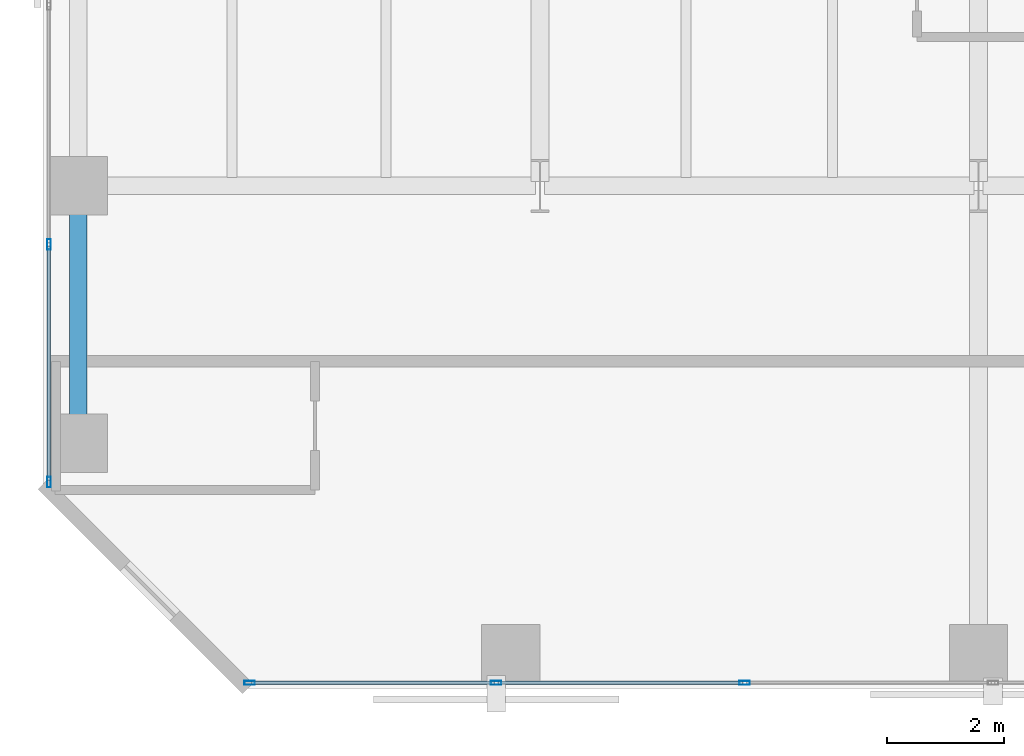
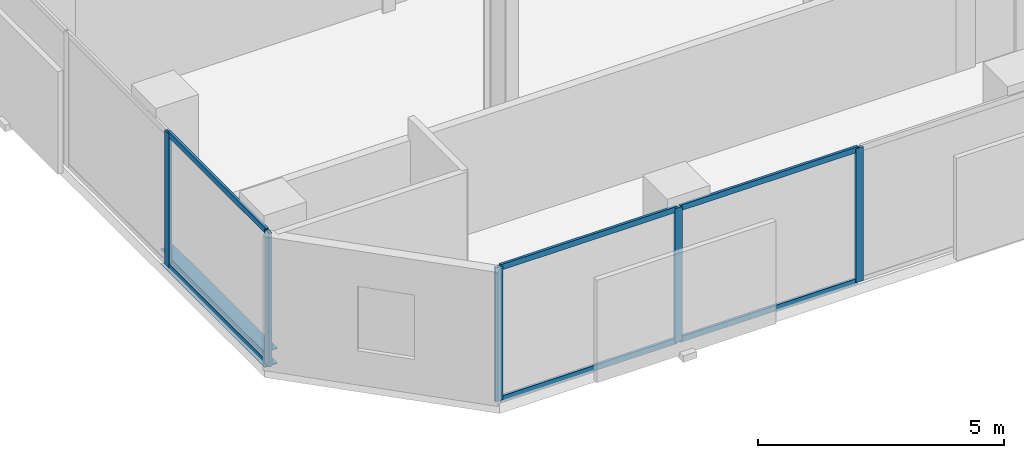
# One storey, part 2 of 31: 11 members, 1 beam, 2 elements without a shape of their own.
"""IFC4 building model written with IfcOpenShell, lengths in metres."""

from ifc_helpers import new_model, si_unit, direction, frame, origin, origin_2d, place, context, subcontext, project, spatial, hollow_rectangle, i_section, extrude, material, layer, layer_set, material_profile, profile_set, type_object, element, aggregate, save


model = new_model("IFC4")

# Units and contexts
model_context = context("Model", 3, precision=1e-05, world=origin(), true_north=direction((0.0, 1.0)))
body_context = subcontext(model_context, "Body", "Model", "MODEL_VIEW")
ifc_project = project(units=[si_unit("LENGTHUNIT", "METRE"), si_unit("AREAUNIT", "SQUARE_METRE"), si_unit("VOLUMEUNIT", "CUBIC_METRE"), si_unit("PLANEANGLEUNIT", "RADIAN"), si_unit("MASSUNIT", "GRAM", prefix="KILO")], contexts=[model_context])

# Site, building, storey
site_placement = place(None, origin())
site = spatial("IfcSite", under=ifc_project, at=site_placement, CompositionType="ELEMENT")
building_placement = place(site_placement, origin())
building = spatial("IfcBuilding", under=site, at=building_placement, Name="Catumbela Crestline Tower", CompositionType="ELEMENT")
storey_placement = place(building_placement, frame((0.0, 0.0, 40.2)))
storey = spatial("IfcBuildingStorey", under=building, at=storey_placement, Name="L09", CompositionType="ELEMENT", Elevation=40.2)

# Curtain wall, members
ifc_material_1 = material(Name="Aluminium alloy AW-6060-T66", Category="aluminium")
ifc_layer = layer(ifc_material_1, 0.18, Name="Aluminium alloy AW-6060-T66")
ifc_layer_set = layer_set([ifc_layer], Name="Aluminium alloy AW-6060-T66")
curtain_wall_type = type_object("IfcCurtainWallType", Name="CWU-Z1", PredefinedType="USERDEFINED", material=ifc_layer_set)
curtain_wall_1_placement = place(storey_placement, origin())
curtain_wall_1 = element("IfcCurtainWall", 1, at=curtain_wall_1_placement, inside=storey, type_object=curtain_wall_type, Name="L09 Unitised Curtain Wall CW-L09-E0S1", ObjectType="UNITISED", PredefinedType="USERDEFINED")
ifc_material_profile_1 = material_profile(ifc_material_1, hollow_rectangle(XDim=0.065, YDim=0.18, WallThickness=0.004, at=origin_2d()), Name="ALU 180x65x4")
ifc_profile_set_1 = profile_set([ifc_material_profile_1], Name="Aluminium alloy AW-6060-T66")
member_type_1 = type_object("IfcMemberType", Name="MUL-180X65", PredefinedType="MULLION", material=ifc_profile_set_1)
member_1_placement = place(storey_placement, frame((3.5325, 0.1, 0.0), z_axis=(0.0, 0.0, 1.0), x_axis=(0.0, 1.0, 0.0)))
member_1 = element("IfcMember", 2, at=member_1_placement, type_object=member_type_1, Name="CWU-Z1 mullion 1", PredefinedType="MULLION", context=body_context, shape_type="SweptSolid", body=[
    extrude(hollow_rectangle(XDim=0.065, YDim=0.18, WallThickness=0.004, at=origin_2d()), origin(), (0.0, 0.0, 1.0), 3.33),
])
member_2_placement = place(storey_placement, frame((7.75, 0.1, 0.0), z_axis=(0.0, 0.0, 1.0), x_axis=(0.0, 1.0, 0.0)))
member_2 = element("IfcMember", 3, at=member_2_placement, type_object=member_type_1, Name="CWU-Z1 mullion 2", PredefinedType="MULLION", context=body_context, shape_type="SweptSolid", body=[
    extrude(hollow_rectangle(XDim=0.065, YDim=0.18, WallThickness=0.004, at=origin_2d()), origin(), (0.0, 0.0, 1.0), 3.33),
])
member_3_placement = place(storey_placement, frame((12.0, 0.1, 0.0), z_axis=(0.0, 0.0, 1.0), x_axis=(0.0, 1.0, 0.0)))
member_3 = element("IfcMember", 4, at=member_3_placement, type_object=member_type_1, Name="CWU-Z1 mullion 3", PredefinedType="MULLION", context=body_context, shape_type="SweptSolid", body=[
    extrude(hollow_rectangle(XDim=0.065, YDim=0.18, WallThickness=0.004, at=origin_2d()), origin(), (0.0, 0.0, 1.0), 3.33),
])

curtain_wall_2_placement = place(storey_placement, origin())
curtain_wall_2 = element("IfcCurtainWall", 5, at=curtain_wall_2_placement, inside=storey, type_object=curtain_wall_type, Name="L09 Unitised Curtain Wall CW-L09-E9S1", ObjectType="UNITISED", PredefinedType="USERDEFINED")
member_4_placement = place(storey_placement, frame((0.1, 7.6, 0.0), z_axis=(0.0, 0.0, 1.0), x_axis=(1.0, 0.0, 0.0)))
member_4 = element("IfcMember", 6, at=member_4_placement, type_object=member_type_1, Name="CWU-Z1 mullion 10", PredefinedType="MULLION", context=body_context, shape_type="SweptSolid", body=[
    extrude(hollow_rectangle(XDim=0.065, YDim=0.18, WallThickness=0.004, at=origin_2d()), origin(), (0.0, 0.0, 1.0), 3.33),
])
member_5_placement = place(storey_placement, frame((0.1, 3.5325, 0.0), z_axis=(0.0, 0.0, 1.0), x_axis=(1.0, 0.0, 0.0)))
member_5 = element("IfcMember", 7, at=member_5_placement, type_object=member_type_1, Name="CWU-Z1 mullion 11", PredefinedType="MULLION", context=body_context, shape_type="SweptSolid", body=[
    extrude(hollow_rectangle(XDim=0.065, YDim=0.18, WallThickness=0.004, at=origin_2d()), origin(), (0.0, 0.0, 1.0), 3.33),
])

# Beam
ifc_material_2 = material(Name="Structural steel S355J2", Category="steel")
ifc_material_profile_2 = material_profile(ifc_material_2, i_section(OverallWidth=0.3, OverallDepth=0.39, WebThickness=0.011, FlangeThickness=0.019, FilletRadius=0.027, at=origin_2d()), Name="HEA 400")
ifc_profile_set_2 = profile_set([ifc_material_profile_2], Name="Structural steel S355J2")
beam_type = type_object("IfcBeamType", Name="BS-HEA400", PredefinedType="SPANDREL", material=ifc_profile_set_2)
beam_placement = place(storey_placement, frame((0.6, 4.28, -0.455), z_axis=(0.0, 1.0, 0.0), x_axis=(-1.0, 0.0, 0.0)))
element("IfcBeam", 8, at=beam_placement, inside=storey, type_object=beam_type, Name="L09 Spandrel SP-L09-WNS57", PredefinedType="SPANDREL", context=body_context, shape_type="SweptSolid", body=[
    extrude(i_section(OverallWidth=0.3, OverallDepth=0.39, WebThickness=0.011, FlangeThickness=0.019, FilletRadius=0.027, at=origin_2d()), origin(), (0.0, 0.0, 1.0), 4.24),
])

# Member
ifc_material_profile_3 = material_profile(ifc_material_1, hollow_rectangle(XDim=0.06, YDim=0.14, WallThickness=0.004, at=origin_2d()), Name="ALU 140x60x4")
ifc_profile_set_3 = profile_set([ifc_material_profile_3], Name="Aluminium alloy AW-6060-T66")
member_type_2 = type_object("IfcMemberType", Name="TRN-140X60", PredefinedType="USERDEFINED", material=ifc_profile_set_3)
member_6_placement = place(storey_placement, frame((3.565, 0.1, 0.03), z_axis=(1.0, 0.0, 0.0), x_axis=(0.0, 1.0, 0.0)))
member_6 = element("IfcMember", 9, at=member_6_placement, type_object=member_type_2, Name="CWU-Z1 transom 1.1", ObjectType="TRANSOM", PredefinedType="USERDEFINED", context=body_context, shape_type="SweptSolid", body=[
    extrude(hollow_rectangle(XDim=0.06, YDim=0.14, WallThickness=0.004, at=origin_2d()), origin(), (0.0, 0.0, 1.0), 4.1525),
])

member_7_placement = place(storey_placement, frame((3.565, 0.1, 3.3), z_axis=(1.0, 0.0, 0.0), x_axis=(0.0, 1.0, 0.0)))
member_7 = element("IfcMember", 10, at=member_7_placement, type_object=member_type_2, Name="CWU-Z1 transom 1.2", ObjectType="TRANSOM", PredefinedType="USERDEFINED", context=body_context, shape_type="SweptSolid", body=[
    extrude(hollow_rectangle(XDim=0.06, YDim=0.14, WallThickness=0.004, at=origin_2d()), origin(), (0.0, 0.0, 1.0), 4.1525),
])

member_8_placement = place(storey_placement, frame((7.7825, 0.1, 0.03), z_axis=(1.0, 0.0, 0.0), x_axis=(0.0, 1.0, 0.0)))
member_8 = element("IfcMember", 11, at=member_8_placement, type_object=member_type_2, Name="CWU-Z1 transom 2.1", ObjectType="TRANSOM", PredefinedType="USERDEFINED", context=body_context, shape_type="SweptSolid", body=[
    extrude(hollow_rectangle(XDim=0.06, YDim=0.14, WallThickness=0.004, at=origin_2d()), origin(), (0.0, 0.0, 1.0), 4.185),
])

member_9_placement = place(storey_placement, frame((7.7825, 0.1, 3.3), z_axis=(1.0, 0.0, 0.0), x_axis=(0.0, 1.0, 0.0)))
member_9 = element("IfcMember", 12, at=member_9_placement, type_object=member_type_2, Name="CWU-Z1 transom 2.2", ObjectType="TRANSOM", PredefinedType="USERDEFINED", context=body_context, shape_type="SweptSolid", body=[
    extrude(hollow_rectangle(XDim=0.06, YDim=0.14, WallThickness=0.004, at=origin_2d()), origin(), (0.0, 0.0, 1.0), 4.185),
])

aggregate(curtain_wall_1, [member_1, member_2, member_3, member_6, member_7, member_8, member_9])

member_10_placement = place(storey_placement, frame((0.1, 7.5675, 0.03), z_axis=(0.0, -1.0, 0.0), x_axis=(1.0, 0.0, 0.0)))
member_10 = element("IfcMember", 13, at=member_10_placement, type_object=member_type_2, Name="CWU-Z1 transom 10.1", ObjectType="TRANSOM", PredefinedType="USERDEFINED", context=body_context, shape_type="SweptSolid", body=[
    extrude(hollow_rectangle(XDim=0.06, YDim=0.14, WallThickness=0.004, at=origin_2d()), origin(), (0.0, 0.0, 1.0), 4.0025),
])

member_11_placement = place(storey_placement, frame((0.1, 7.5675, 3.3), z_axis=(0.0, -1.0, 0.0), x_axis=(1.0, 0.0, 0.0)))
member_11 = element("IfcMember", 14, at=member_11_placement, type_object=member_type_2, Name="CWU-Z1 transom 10.2", ObjectType="TRANSOM", PredefinedType="USERDEFINED", context=body_context, shape_type="SweptSolid", body=[
    extrude(hollow_rectangle(XDim=0.06, YDim=0.14, WallThickness=0.004, at=origin_2d()), origin(), (0.0, 0.0, 1.0), 4.0025),
])

aggregate(curtain_wall_2, [member_4, member_5, member_10, member_11])

save(model, "model.ifc")
